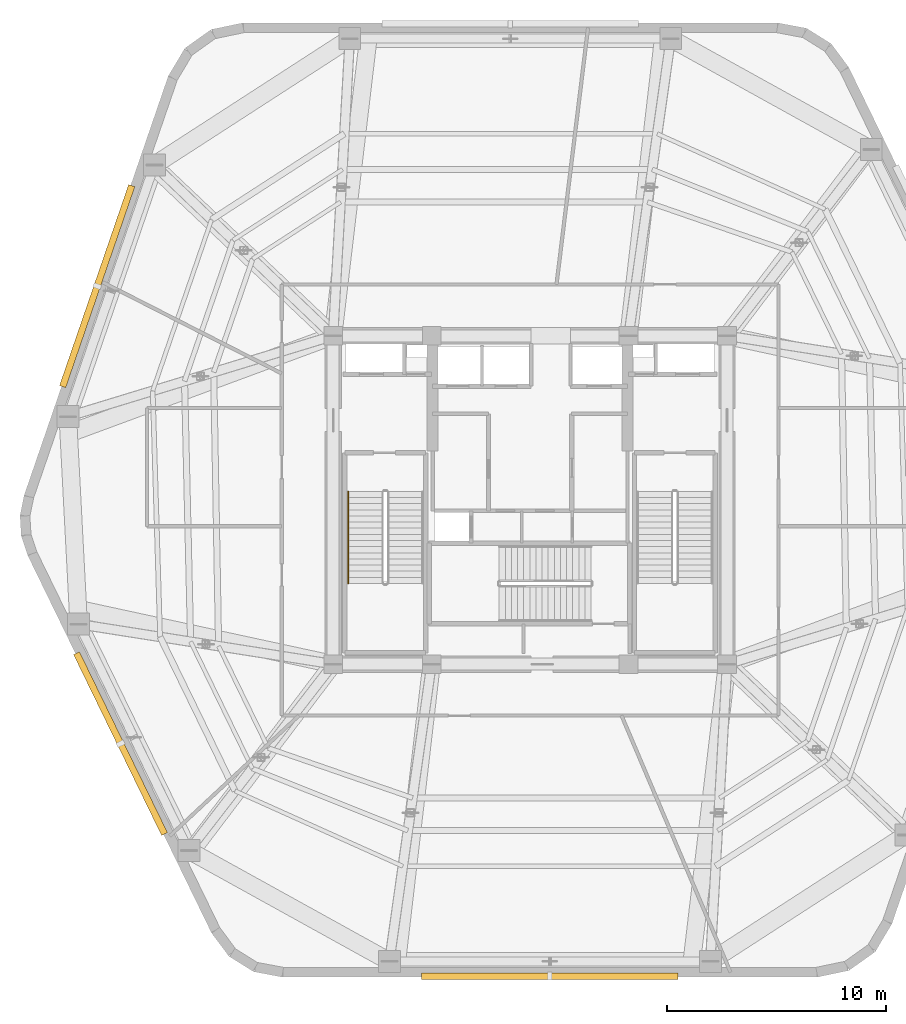
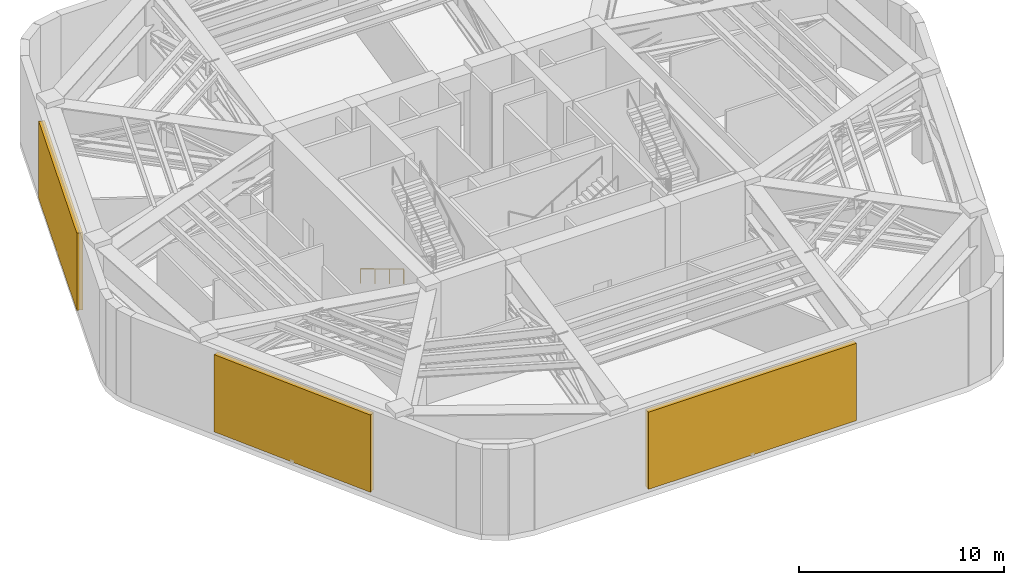
# One storey, part 8 of 10: 3 shading devices, 1 railing.
"""IFC4 building model written with IfcOpenShell, lengths in metres."""

from ifc_helpers import new_model, si_unit, direction, frame, origin, origin_2d, place, context, subcontext, project, spatial, rectangle, extrude, material, layer, layer_set, type_object, element, save


model = new_model("IFC4")

# Units and contexts
model_context = context("Model", 3, precision=1e-05, world=origin(), true_north=direction((0.0, 1.0)))
body_context = subcontext(model_context, "Body", "Model", "MODEL_VIEW")
ifc_project = project(units=[si_unit("LENGTHUNIT", "METRE"), si_unit("AREAUNIT", "SQUARE_METRE"), si_unit("VOLUMEUNIT", "CUBIC_METRE"), si_unit("PLANEANGLEUNIT", "RADIAN"), si_unit("MASSUNIT", "GRAM", prefix="KILO")], contexts=[model_context])

# Site, building, storey
site_placement = place(None, origin())
site = spatial("IfcSite", under=ifc_project, at=site_placement, CompositionType="ELEMENT")
building_placement = place(site_placement, origin())
building = spatial("IfcBuilding", under=site, at=building_placement, Name="Kilnhurst Terrace Hotel", CompositionType="ELEMENT")
storey_placement = place(building_placement, frame((0.0, 0.0, 255.89990234375)))
storey = spatial("IfcBuildingStorey", under=building, at=storey_placement, Name="L64", CompositionType="ELEMENT", Elevation=255.89990234375)

# Railing
ifc_material_1 = material(Name="Brushed Stainless Steel AISI 304", Category="steel")
ifc_layer_1 = layer(ifc_material_1, 0.048095703125, Name="Brushed Stainless Steel AISI 304")
ifc_layer_set_1 = layer_set([ifc_layer_1], Name="Brushed Stainless Steel AISI 304")
railing_type = type_object("IfcRailingType", Name="RLG-ST-HRL-900", PredefinedType="HANDRAIL", material=ifc_layer_set_1)
railing_placement = place(storey_placement, frame((-8.300048828125, 0.389892578125, 0.1689453125)))
element("IfcRailing", 1, at=railing_placement, inside=storey, type_object=railing_type, Name="L64 ST-1 stair handrail 1", PredefinedType="HANDRAIL", context=body_context, shape_type="SweptSolid", body=[
    extrude(rectangle(XDim=0.048095703125, YDim=0.048095703125, at=origin_2d()), frame((0.0, 0.0, 0.8759765625), z_axis=(0.0, -0.856476492594, 0.516186030065), x_axis=(1.0, 0.0, 0.0)), (0.0, 0.0, 1.0), 4.90380859375),
    extrude(rectangle(XDim=0.0419921875, YDim=0.0419921875, at=origin_2d()), origin(), (0.0, 0.0, 1.0), 0.851806640625),
    extrude(rectangle(XDim=0.0419921875, YDim=0.0419921875, at=origin_2d()), frame((0.0, -1.39990234375, 0.84375)), (0.0, 0.0, 1.0), 0.851806640625),
    extrude(rectangle(XDim=0.0419921875, YDim=0.0419921875, at=origin_2d()), frame((0.0, -2.800048828125, 1.6875)), (0.0, 0.0, 1.0), 0.851806640625),
    extrude(rectangle(XDim=0.0419921875, YDim=0.0419921875, at=origin_2d()), frame((0.0, -4.199951171875, 2.53125)), (0.0, 0.0, 1.0), 0.851806640625),
])

# Shading devices
ifc_material_2 = material(Name="Bronze Anodized Extruded Aluminium Alloy 6063-T6", Category="aluminium")
ifc_layer_2 = layer(ifc_material_2, 0.300048828125, Name="Bronze Anodized Extruded Aluminium Alloy 6063-T6")
ifc_layer_set_2 = layer_set([ifc_layer_2], Name="Bronze Anodized Extruded Aluminium Alloy 6063-T6")
shading_device_type = type_object("IfcShadingDeviceType", Name="SHD-LVR-4600", PredefinedType="USERDEFINED", material=ifc_layer_set_2)
shading_device_1_placement = place(storey_placement, frame((0.90185546875, -21.75, 0.25), z_axis=(0.0, 0.0, 1.0), x_axis=(1.0, 0.0, 0.0)))
element("IfcShadingDevice", 2, at=shading_device_1_placement, inside=storey, type_object=shading_device_type, Name="L64 Mechanical Intake Storm Louvre F1", ObjectType="LOUVRE", PredefinedType="USERDEFINED", context=body_context, shape_type="SweptSolid", body=[
    extrude(rectangle(XDim=11.7109375, YDim=0.300048828125, at=origin_2d()), origin(), (0.0, 0.0, 1.0), 4.60009765625),
])
shading_device_2_placement = place(storey_placement, frame((-19.77685546875, 9.769287109375, 0.25), z_axis=(0.0, 0.0, 1.0), x_axis=(-0.325089542819, -0.94568323933, 0.0)))
element("IfcShadingDevice", 3, at=shading_device_2_placement, inside=storey, type_object=shading_device_type, Name="L64 Mechanical Intake Storm Louvre F5", ObjectType="LOUVRE", PredefinedType="USERDEFINED", context=body_context, shape_type="SweptSolid", body=[
    extrude(rectangle(XDim=9.7080078125, YDim=0.300048828125, at=origin_2d()), origin(), (0.0, 0.0, 1.0), 4.60009765625),
])
shading_device_3_placement = place(storey_placement, frame((-18.708251953125, -11.132080078125, 0.25), z_axis=(0.0, 0.0, 1.0), x_axis=(0.437743563395, -0.899099868038, 0.0)))
element("IfcShadingDevice", 4, at=shading_device_3_placement, inside=storey, type_object=shading_device_type, Name="L64 Mechanical Intake Storm Louvre F6", ObjectType="LOUVRE", PredefinedType="USERDEFINED", context=body_context, shape_type="SweptSolid", body=[
    extrude(rectangle(XDim=9.18603515625, YDim=0.300048828125, at=origin_2d()), origin(), (0.0, 0.0, 1.0), 4.60009765625),
])

save(model, "model.ifc")
